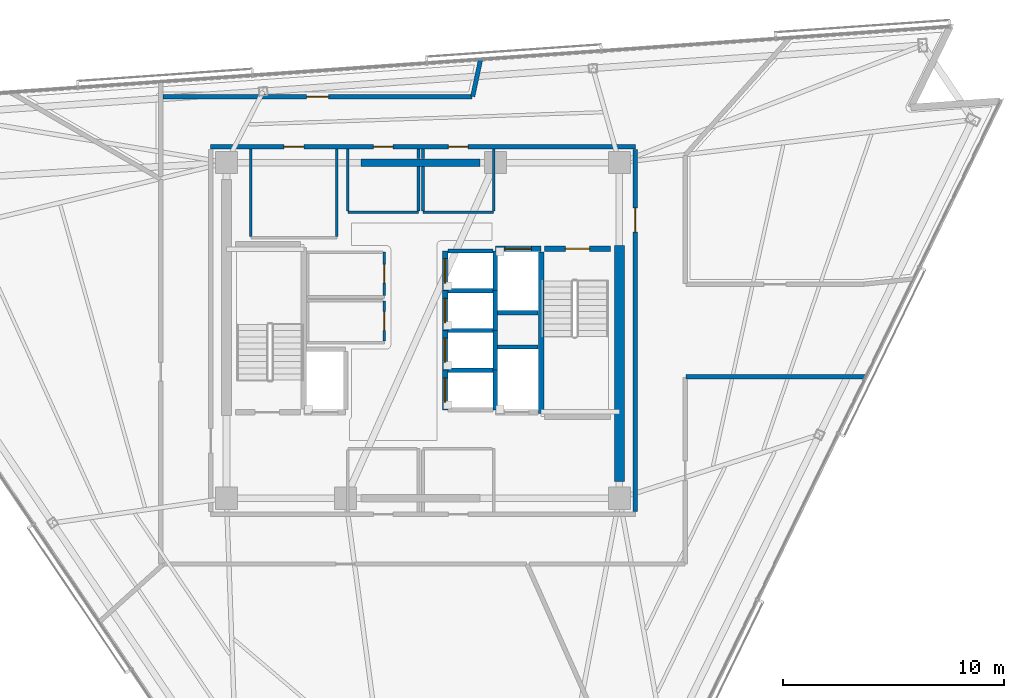
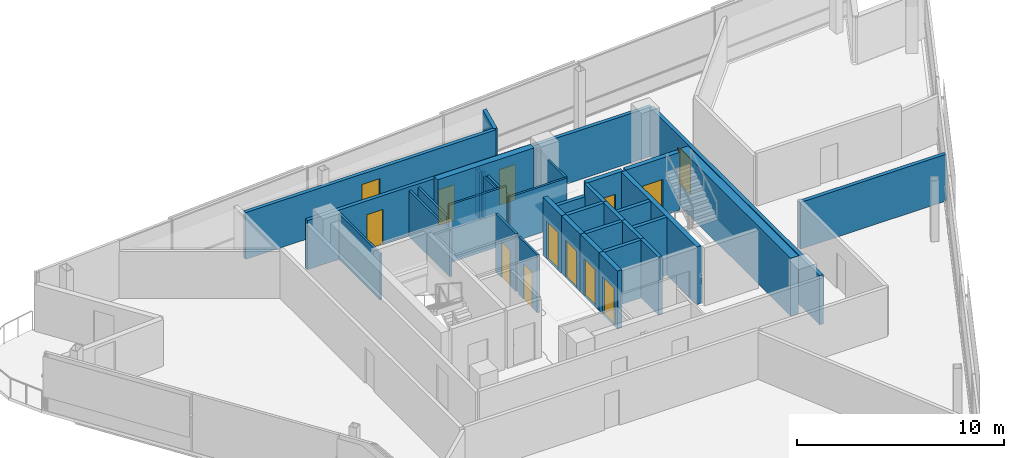
# One storey, part 10 of 16: 36 walls, 13 doors, 13 openings.
"""IFC4 building model written with IfcOpenShell, lengths in metres."""

from ifc_helpers import new_model, si_unit, direction, frame, frame_2d, origin, place, context, subcontext, project, spatial, rectangle, extrude, material, layer, layer_set, type_object, element, fill, save


model = new_model("IFC4")

# Units and contexts
model_context = context("Model", 3, precision=1e-05, world=origin(), true_north=direction((0.0, 1.0)))
body_context = subcontext(model_context, "Body", "Model", "MODEL_VIEW")
ifc_project = project(units=[si_unit("LENGTHUNIT", "METRE"), si_unit("AREAUNIT", "SQUARE_METRE"), si_unit("VOLUMEUNIT", "CUBIC_METRE"), si_unit("PLANEANGLEUNIT", "RADIAN"), si_unit("MASSUNIT", "GRAM", prefix="KILO")], contexts=[model_context])

# Site, building, storey
site_placement = place(None, origin())
site = spatial("IfcSite", under=ifc_project, at=site_placement, CompositionType="ELEMENT")
building_placement = place(site_placement, origin())
building = spatial("IfcBuilding", under=site, at=building_placement, Name="Tharavind Bronze Gate", CompositionType="ELEMENT")
storey_placement = place(building_placement, frame((0.0, 0.0, 271.39990234375)))
storey = spatial("IfcBuildingStorey", under=building, at=storey_placement, Name="L70", CompositionType="ELEMENT", Elevation=271.39990234375)

# Wall, openings, doors
ifc_material_1 = material(Name="Aerated Concrete Block", Category="concrete")
ifc_layer_1 = layer(ifc_material_1, 0.199951171875)
ifc_layer_set_1 = layer_set([ifc_layer_1], Name="Aerated Concrete Block")
wall_type_1 = type_object("IfcWallType", Name="FIRE RATED PARTITION 200", PredefinedType="PARTITIONING", material=ifc_layer_set_1)
wall_1_placement = place(storey_placement, frame((9.6201171875, 8.320068359375, 0.0), z_axis=(0.0, 0.0, 1.0), x_axis=(-1.0, 0.0, 0.0)))
wall_1 = element("IfcWall", 1, at=wall_1_placement, inside=storey, type_object=wall_type_1, Name="L70 north core corridor wall", PredefinedType="PARTITIONING", context=body_context, shape_type="SweptSolid", body=[
    extrude(rectangle(XDim=19.240234375, YDim=0.199951171875, at=frame_2d((9.6201171875, 0.0))), origin(), (0.0, 0.0, 1.0), 2.9150390625),
])
opening_1_placement = place(wall_1_placement, frame((10.969970703125, 0.0, 0.0)))
opening_1 = element("IfcOpeningElement", 2, at=opening_1_placement, cuts=wall_1, Name="Opening ID07", PredefinedType="OPENING", context=body_context, shape_type="SweptSolid", body=[
    extrude(rectangle(XDim=0.89990234375, YDim=2.10009765625, at=frame_2d((0.449951171875, 1.050048828125))), frame((0.0, 0.11009765625, 0.0), z_axis=(0.0, -1.0, 0.0), x_axis=(1.0, 0.0, 0.0)), (0.0, 0.0, 1.0), 0.219951171875),
])
opening_2_placement = place(wall_1_placement, frame((7.570068359375, 0.0, 0.0)))
opening_2 = element("IfcOpeningElement", 3, at=opening_2_placement, cuts=wall_1, Name="Opening ID07", PredefinedType="OPENING", context=body_context, shape_type="SweptSolid", body=[
    extrude(rectangle(XDim=0.89990234375, YDim=2.10009765625, at=frame_2d((0.449951171875, 1.050048828125))), frame((0.0, 0.11009765625, 0.0), z_axis=(0.0, -1.0, 0.0), x_axis=(1.0, 0.0, 0.0)), (0.0, 0.0, 1.0), 0.219951171875),
])
opening_3_placement = place(wall_1_placement, frame((15.02001953125, 0.0, 0.0)))
opening_3 = element("IfcOpeningElement", 4, at=opening_3_placement, cuts=wall_1, Name="Opening ID07", PredefinedType="OPENING", context=body_context, shape_type="SweptSolid", body=[
    extrude(rectangle(XDim=0.89990234375, YDim=2.10009765625, at=frame_2d((0.449951171875, 1.050048828125))), frame((0.0, 0.11009765625, 0.0), z_axis=(0.0, -1.0, 0.0), x_axis=(1.0, 0.0, 0.0)), (0.0, 0.0, 1.0), 0.219951171875),
])
ifc_material_2 = material(Name="Galvanised Fire Steel", Category="steel")
door_type_1 = type_object("IfcDoorType", Name="PLANT AND RISER FIRE DOOR 900X2100", OperationType="SINGLE_SWING_LEFT", PredefinedType="DOOR", material=ifc_material_2)
door_1_placement = place(opening_1_placement, frame((0.89990234375, 0.0, 0.0), z_axis=(0.0, 0.0, 1.0), x_axis=(-1.0, 0.0, 0.0)))
door_1 = element("IfcDoor", 5, at=door_1_placement, inside=storey, type_object=door_type_1, Name="L70 Core Telemetry Room fire door", OperationType="SINGLE_SWING_LEFT", OverallHeight=2.10009765625, OverallWidth=0.89990234375, PredefinedType="DOOR", context=body_context, shape_type="SweptSolid", body=[
    extrude(rectangle(XDim=0.89990234375, YDim=2.10009765625, at=frame_2d((0.449951171875, 1.050048828125))), frame((0.0, 0.02490234375, 0.0), z_axis=(0.0, -1.0, 0.0), x_axis=(1.0, 0.0, 0.0)), (0.0, 0.0, 1.0), 0.050048828125),
])
fill(opening_1, door_1)
door_2_placement = place(opening_2_placement, frame((0.89990234375, 0.0, 0.0), z_axis=(0.0, 0.0, 1.0), x_axis=(-1.0, 0.0, 0.0)))
door_2 = element("IfcDoor", 6, at=door_2_placement, inside=storey, type_object=door_type_1, Name="L70 Core Battery Room fire door", OperationType="SINGLE_SWING_LEFT", OverallHeight=2.10009765625, OverallWidth=0.89990234375, PredefinedType="DOOR", context=body_context, shape_type="SweptSolid", body=[
    extrude(rectangle(XDim=0.89990234375, YDim=2.10009765625, at=frame_2d((0.449951171875, 1.050048828125))), frame((0.0, 0.02490234375, 0.0), z_axis=(0.0, -1.0, 0.0), x_axis=(1.0, 0.0, 0.0)), (0.0, 0.0, 1.0), 0.050048828125),
])
fill(opening_2, door_2)
door_3_placement = place(opening_3_placement, frame((0.89990234375, 0.0, 0.0), z_axis=(0.0, 0.0, 1.0), x_axis=(-1.0, 0.0, 0.0)))
door_3 = element("IfcDoor", 7, at=door_3_placement, inside=storey, type_object=door_type_1, Name="L70 Electrical Switch Room fire door", OperationType="SINGLE_SWING_LEFT", OverallHeight=2.10009765625, OverallWidth=0.89990234375, PredefinedType="DOOR", context=body_context, shape_type="SweptSolid", body=[
    extrude(rectangle(XDim=0.89990234375, YDim=2.10009765625, at=frame_2d((0.449951171875, 1.050048828125))), frame((0.0, 0.02490234375, 0.0), z_axis=(0.0, -1.0, 0.0), x_axis=(1.0, 0.0, 0.0)), (0.0, 0.0, 1.0), 0.050048828125),
])
fill(opening_3, door_3)

# Wall, opening, door
wall_2_placement = place(storey_placement, frame((9.6201171875, -8.199951171875, 0.0), z_axis=(0.0, 0.0, 1.0), x_axis=(0.0, 1.0, 0.0)))
wall_2 = element("IfcWall", 8, at=wall_2_placement, inside=storey, type_object=wall_type_1, Name="L70 east core corridor wall", PredefinedType="PARTITIONING", context=body_context, shape_type="SweptSolid", body=[
    extrude(rectangle(XDim=16.39990234375, YDim=0.199951171875, at=frame_2d((8.199951171875, 0.0))), origin(), (0.0, 0.0, 1.0), 2.9150390625),
])
opening_4_placement = place(wall_2_placement, frame((12.64990234375, 0.0, 0.0)))
opening_4 = element("IfcOpeningElement", 9, at=opening_4_placement, cuts=wall_2, Name="Opening ID01", PredefinedType="OPENING", context=body_context, shape_type="SweptSolid", body=[
    extrude(rectangle(XDim=1.10009765625, YDim=2.14990234375, at=frame_2d((0.550048828125, 1.074951171875))), frame((0.0, 0.11009765625, 0.0), z_axis=(0.0, -1.0, 0.0), x_axis=(1.0, 0.0, 0.0)), (0.0, 0.0, 1.0), 0.219951171875),
])
ifc_material_3 = material(Name="Fire-Rated Steel", Category="steel")
door_type_2 = type_object("IfcDoorType", Name="STAIR CORE FIRE DOOR 1100X2150", OperationType="SINGLE_SWING_LEFT", PredefinedType="DOOR", material=ifc_material_3)
door_4_placement = place(opening_4_placement, frame((1.10009765625, 0.0, 0.0), z_axis=(0.0, 0.0, 1.0), x_axis=(-1.0, 0.0, 0.0)))
door_4 = element("IfcDoor", 10, at=door_4_placement, inside=storey, type_object=door_type_2, Name="L70 north east stair lobby fire door", OperationType="SINGLE_SWING_LEFT", OverallHeight=2.14990234375, OverallWidth=1.10009765625, PredefinedType="DOOR", context=body_context, shape_type="SweptSolid", body=[
    extrude(rectangle(XDim=1.10009765625, YDim=2.14990234375, at=frame_2d((0.550048828125, 1.074951171875))), frame((0.0, 0.02490234375, 0.0), z_axis=(0.0, -1.0, 0.0), x_axis=(1.0, 0.0, 0.0)), (0.0, 0.0, 1.0), 0.050048828125),
])
fill(opening_4, door_4)

# Wall
wall_3_placement = place(storey_placement, frame((2.60888671875, 12.273681640625, 0.0), z_axis=(0.0, 0.0, 1.0), x_axis=(-0.207872406536, -0.978155950041, 0.0)))
element("IfcWall", 11, at=wall_3_placement, inside=storey, type_object=wall_type_1, Name="L70 Flight Systems Office partition", PredefinedType="PARTITIONING", context=body_context, shape_type="SweptSolid", body=[
    extrude(rectangle(XDim=1.711181640625, YDim=0.199951171875, at=frame_2d((0.85546875, 0.0))), origin(), (0.0, 0.0, 1.0), 2.76513671875),
])

# Wall, opening, door
wall_4_placement = place(storey_placement, frame((2.228515625, 10.580078125, 0.0), z_axis=(0.0, 0.0, 1.0), x_axis=(-1.0, 0.0, 0.0)))
wall_4 = element("IfcWall", 12, at=wall_4_placement, inside=storey, type_object=wall_type_1, Name="L70 Flight Systems Office partition", PredefinedType="PARTITIONING", context=body_context, shape_type="SweptSolid", body=[
    extrude(rectangle(XDim=14.00341796875, YDim=0.199951171875, at=frame_2d((7.001708984375, 0.0))), origin(), (0.0, 0.0, 1.0), 2.76513671875),
])
opening_5_placement = place(wall_4_placement, frame((6.501953125, 0.0, 0.0)))
opening_5 = element("IfcOpeningElement", 13, at=opening_5_placement, cuts=wall_4, Name="Opening ID04", PredefinedType="OPENING", context=body_context, shape_type="SweptSolid", body=[
    extrude(rectangle(XDim=1.0, YDim=2.14990234375, at=frame_2d((0.5, 1.074951171875))), frame((0.0, 0.11009765625, 0.0), z_axis=(0.0, -1.0, 0.0), x_axis=(1.0, 0.0, 0.0)), (0.0, 0.0, 1.0), 0.219951171875),
])
ifc_material_4 = material(Name="Bronze Framed Acoustic Timber", Category="wood")
door_type_3 = type_object("IfcDoorType", Name="OFFICE TENANCY DOOR 1000X2150", OperationType="SINGLE_SWING_RIGHT", PredefinedType="DOOR", material=ifc_material_4)
door_5_placement = place(opening_5_placement, origin())
door_5 = element("IfcDoor", 14, at=door_5_placement, inside=storey, type_object=door_type_3, Name="L70 Flight Systems Office door", OperationType="SINGLE_SWING_RIGHT", OverallHeight=2.14990234375, OverallWidth=1.0, PredefinedType="DOOR", context=body_context, shape_type="SweptSolid", body=[
    extrude(rectangle(XDim=1.0, YDim=2.14990234375, at=frame_2d((0.5, 1.074951171875))), frame((0.0, 0.02490234375, 0.0), z_axis=(0.0, -1.0, 0.0), x_axis=(1.0, 0.0, 0.0)), (0.0, 0.0, 1.0), 0.050048828125),
])
fill(opening_5, door_5)

# Wall
wall_5_placement = place(storey_placement, frame((11.905029296875, -2.10009765625, 0.0), z_axis=(0.0, 0.0, 1.0), x_axis=(1.0, 0.0, 0.0)))
element("IfcWall", 15, at=wall_5_placement, inside=storey, type_object=wall_type_1, Name="L70 Tea Pantry partition", PredefinedType="PARTITIONING", context=body_context, shape_type="SweptSolid", body=[
    extrude(rectangle(XDim=8.1591796875, YDim=0.199951171875, at=frame_2d((4.07958984375, 0.0))), origin(), (0.0, 0.0, 1.0), 2.76513671875),
])

# Wall, opening, door
ifc_material_5 = material(Name="Metal Stud Gypsum Partition", Category="gypsum")
ifc_layer_2 = layer(ifc_material_5, 0.1201171875)
ifc_layer_set_2 = layer_set([ifc_layer_2], Name="Metal Stud Gypsum Partition")
wall_type_2 = type_object("IfcWallType", Name="INTERIOR PARTITION WALL 120", PredefinedType="PARTITIONING", material=ifc_layer_set_2)
wall_6_placement = place(storey_placement, frame((-1.75, 1.5849609375, 0.0), z_axis=(0.0, 0.0, 1.0), x_axis=(0.0, 1.0, 0.0)))
wall_6 = element("IfcWall", 16, at=wall_6_placement, inside=storey, type_object=wall_type_2, Name="L70 Cleaner Store Room partition 2", PredefinedType="PARTITIONING", context=body_context, shape_type="SweptSolid", body=[
    extrude(rectangle(XDim=1.965087890625, YDim=0.1201171875, at=frame_2d((0.982421875, 0.0))), origin(), (0.0, 0.0, 1.0), 3.420166015625),
])
opening_6_placement = place(wall_6_placement, frame((0.556884765625, 0.0, 0.0)))
opening_6 = element("IfcOpeningElement", 17, at=opening_6_placement, cuts=wall_6, Name="Opening ID06", PredefinedType="OPENING", context=body_context, shape_type="SweptSolid", body=[
    extrude(rectangle(XDim=0.85009765625, YDim=2.10009765625, at=frame_2d((0.425048828125, 1.050048828125))), frame((0.0, 0.07005859375, 0.0), z_axis=(0.0, -1.0, 0.0), x_axis=(1.0, 0.0, 0.0)), (0.0, 0.0, 1.0), 0.1401171875),
])
ifc_material_6 = material(Name="Moisture-Resistant Timber", Category="wood")
door_type_4 = type_object("IfcDoorType", Name="BATHROOM PRIVACY DOOR 850X2100", OperationType="SINGLE_SWING_RIGHT", PredefinedType="DOOR", material=ifc_material_6)
door_6_placement = place(opening_6_placement, frame((0.85009765625, 0.0, 0.0), z_axis=(0.0, 0.0, 1.0), x_axis=(-1.0, 0.0, 0.0)))
door_6 = element("IfcDoor", 18, at=door_6_placement, inside=storey, type_object=door_type_4, Name="L70 Cleaner Store Room door", OperationType="SINGLE_SWING_RIGHT", OverallHeight=2.10009765625, OverallWidth=0.85009765625, PredefinedType="DOOR", context=body_context, shape_type="SweptSolid", body=[
    extrude(rectangle(XDim=0.85009765625, YDim=2.10009765625, at=frame_2d((0.425048828125, 1.050048828125))), frame((0.0, 0.02490234375, 0.0), z_axis=(0.0, -1.0, 0.0), x_axis=(1.0, 0.0, 0.0)), (0.0, 0.0, 1.0), 0.050048828125),
])
fill(opening_6, door_6)

wall_7_placement = place(storey_placement, frame((-1.75, -0.485107421875, 0.0), z_axis=(0.0, 0.0, 1.0), x_axis=(0.0, 1.0, 0.0)))
wall_7 = element("IfcWall", 19, at=wall_7_placement, inside=storey, type_object=wall_type_2, Name="L70 Electrical Switch Room partition 2", PredefinedType="PARTITIONING", context=body_context, shape_type="SweptSolid", body=[
    extrude(rectangle(XDim=1.8251953125, YDim=0.1201171875, at=frame_2d((0.91259765625, 0.0))), origin(), (0.0, 0.0, 1.0), 3.420166015625),
])
opening_7_placement = place(wall_7_placement, frame((0.488037109375, 0.0, 0.0)))
opening_7 = element("IfcOpeningElement", 20, at=opening_7_placement, cuts=wall_7, Name="Opening ID06", PredefinedType="OPENING", context=body_context, shape_type="SweptSolid", body=[
    extrude(rectangle(XDim=0.85009765625, YDim=2.10009765625, at=frame_2d((0.425048828125, 1.050048828125))), frame((0.0, 0.07005859375, 0.0), z_axis=(0.0, -1.0, 0.0), x_axis=(1.0, 0.0, 0.0)), (0.0, 0.0, 1.0), 0.1401171875),
])
door_7_placement = place(opening_7_placement, frame((0.85009765625, 0.0, 0.0), z_axis=(0.0, 0.0, 1.0), x_axis=(-1.0, 0.0, 0.0)))
door_7 = element("IfcDoor", 21, at=door_7_placement, inside=storey, type_object=door_type_4, Name="L70 Electrical Switch Room door", OperationType="SINGLE_SWING_RIGHT", OverallHeight=2.10009765625, OverallWidth=0.85009765625, PredefinedType="DOOR", context=body_context, shape_type="SweptSolid", body=[
    extrude(rectangle(XDim=0.85009765625, YDim=2.10009765625, at=frame_2d((0.425048828125, 1.050048828125))), frame((0.0, 0.02490234375, 0.0), z_axis=(0.0, -1.0, 0.0), x_axis=(1.0, 0.0, 0.0)), (0.0, 0.0, 1.0), 0.050048828125),
])
fill(opening_7, door_7)

# Walls
wall_8_placement = place(storey_placement, frame((-3.39990234375, 5.35009765625, 0.0), z_axis=(0.0, 0.0, 1.0), x_axis=(1.0, 0.0, 0.0)))
element("IfcWall", 22, at=wall_8_placement, inside=storey, type_object=wall_type_2, Name="L70 Core Telemetry Room partition 1", PredefinedType="PARTITIONING", context=body_context, shape_type="SweptSolid", body=[
    extrude(rectangle(XDim=3.199951171875, YDim=0.1201171875, at=frame_2d((1.60009765625, 0.0))), origin(), (0.0, 0.0, 1.0), 3.420166015625),
])
wall_9_placement = place(storey_placement, frame((-0.199951171875, 5.4150390625, 0.0), z_axis=(0.0, 0.0, 1.0), x_axis=(0.0, 1.0, 0.0)))
element("IfcWall", 23, at=wall_9_placement, inside=storey, type_object=wall_type_2, Name="L70 Core Telemetry Room partition 2", PredefinedType="PARTITIONING", context=body_context, shape_type="SweptSolid", body=[
    extrude(rectangle(XDim=2.0048828125, YDim=0.1201171875, at=frame_2d((1.00244140625, 0.0))), origin(), (0.0, 0.0, 1.0), 2.715087890625),
])
wall_10_placement = place(storey_placement, frame((-0.199951171875, 7.780029296875, 0.0), z_axis=(0.0, 0.0, 1.0), x_axis=(0.0, 1.0, 0.0)))
element("IfcWall", 24, at=wall_10_placement, inside=storey, type_object=wall_type_2, Name="L70 Core Telemetry Room partition 2", PredefinedType="PARTITIONING", context=body_context, shape_type="SweptSolid", body=[
    extrude(rectangle(XDim=0.43505859375, YDim=0.1201171875, at=frame_2d((0.217529296875, 0.0))), origin(), (0.0, 0.0, 1.0), 2.715087890625),
])
wall_11_placement = place(storey_placement, frame((-3.39990234375, 8.215087890625, 0.0), z_axis=(0.0, 0.0, 1.0), x_axis=(0.0, -1.0, 0.0)))
element("IfcWall", 25, at=wall_11_placement, inside=storey, type_object=wall_type_2, Name="L70 Core Telemetry Room partition 4", PredefinedType="PARTITIONING", context=body_context, shape_type="SweptSolid", body=[
    extrude(rectangle(XDim=2.800048828125, YDim=0.1201171875, at=frame_2d((1.39990234375, 0.0))), origin(), (0.0, 0.0, 1.0), 2.715087890625),
])
wall_12_placement = place(storey_placement, frame((0.0, 5.35009765625, 0.0), z_axis=(0.0, 0.0, 1.0), x_axis=(1.0, 0.0, 0.0)))
element("IfcWall", 26, at=wall_12_placement, inside=storey, type_object=wall_type_2, Name="L70 Core Battery Room partition 1", PredefinedType="PARTITIONING", context=body_context, shape_type="SweptSolid", body=[
    extrude(rectangle(XDim=3.199951171875, YDim=0.1201171875, at=frame_2d((1.60009765625, 0.0))), origin(), (0.0, 0.0, 1.0), 2.715087890625),
])
wall_13_placement = place(storey_placement, frame((3.199951171875, 5.4150390625, 0.0), z_axis=(0.0, 0.0, 1.0), x_axis=(0.0, 1.0, 0.0)))
element("IfcWall", 27, at=wall_13_placement, inside=storey, type_object=wall_type_2, Name="L70 Core Battery Room partition 2", PredefinedType="PARTITIONING", context=body_context, shape_type="SweptSolid", body=[
    extrude(rectangle(XDim=2.800048828125, YDim=0.1201171875, at=frame_2d((1.39990234375, 0.0))), origin(), (0.0, 0.0, 1.0), 2.715087890625),
])
wall_14_placement = place(storey_placement, frame((0.0, 8.215087890625, 0.0), z_axis=(0.0, 0.0, 1.0), x_axis=(0.0, -1.0, 0.0)))
element("IfcWall", 28, at=wall_14_placement, inside=storey, type_object=wall_type_2, Name="L70 Core Battery Room partition 4", PredefinedType="PARTITIONING", context=body_context, shape_type="SweptSolid", body=[
    extrude(rectangle(XDim=0.43505859375, YDim=0.1201171875, at=frame_2d((0.217529296875, 0.0))), origin(), (0.0, 0.0, 1.0), 2.715087890625),
])
wall_15_placement = place(storey_placement, frame((0.0, 7.419921875, 0.0), z_axis=(0.0, 0.0, 1.0), x_axis=(0.0, -1.0, 0.0)))
element("IfcWall", 29, at=wall_15_placement, inside=storey, type_object=wall_type_2, Name="L70 Core Battery Room partition 4", PredefinedType="PARTITIONING", context=body_context, shape_type="SweptSolid", body=[
    extrude(rectangle(XDim=2.0048828125, YDim=0.1201171875, at=frame_2d((1.00244140625, 0.0))), origin(), (0.0, 0.0, 1.0), 2.715087890625),
])
for number, where, z_axis, x_axis, name in (
    (30, (-3.89990234375, 4.264892578125, 0.0), (0.0, 0.0, 1.0), (0.0, 1.0, 0.0), "L70 Electrical Switch Room partition 2"),
    (31, (-7.800048828125, 8.215087890625, 0.0), (0.0, 0.0, 1.0), (0.0, -1.0, 0.0), "L70 Electrical Switch Room partition 4"),
):
    element("IfcWall", number, at=place(storey_placement, frame(where, z_axis=z_axis, x_axis=x_axis)), inside=storey, type_object=wall_type_2, Name=name, PredefinedType="PARTITIONING", context=body_context, shape_type="SweptSolid", body=[
        extrude(rectangle(XDim=3.9501953125, YDim=0.1201171875, at=frame_2d((1.97509765625, 0.0))), origin(), (0.0, 0.0, 1.0), 2.715087890625),
    ])
ifc_material_7 = material(Name="Concrete C50/60", Category="concrete")
ifc_layer_3 = layer(ifc_material_7, 0.25)
ifc_layer_set_3 = layer_set([ifc_layer_3], Name="Concrete C50/60")
wall_type_3 = type_object("IfcWallType", Name="RC CORE SHEAR WALL 250", PredefinedType="SHEAR", material=ifc_layer_set_3)
wall_16_placement = place(storey_placement, frame((5.35009765625, -3.75, 0.0), z_axis=(0.0, 0.0, 1.0), x_axis=(0.0, 1.0, 0.0)))
element("IfcWall", 32, at=wall_16_placement, inside=storey, type_object=wall_type_3, Name="L70 ST2 shaft west wall", PredefinedType="SHEAR", context=body_context, shape_type="SweptSolid", body=[
    extrude(rectangle(XDim=7.300048828125, YDim=0.25, at=frame_2d((3.64990234375, 0.0))), origin(), (0.0, 0.0, 1.0), 3.420166015625),
])

# Wall, opening, door
wall_17_placement = place(storey_placement, frame((5.5, 3.699951171875, 0.0), z_axis=(0.0, 0.0, 1.0), x_axis=(1.0, 0.0, 0.0)))
wall_17 = element("IfcWall", 33, at=wall_17_placement, inside=storey, type_object=wall_type_3, Name="L70 ST2 shaft north wall", PredefinedType="SHEAR", context=body_context, shape_type="SweptSolid", body=[
    extrude(rectangle(XDim=3.0, YDim=0.25, at=frame_2d((1.5, 0.0))), origin(), (0.0, 0.0, 1.0), 3.420166015625),
])
opening_8_placement = place(wall_17_placement, frame((0.949951171875, 0.0, 0.0)))
opening_8 = element("IfcOpeningElement", 34, at=opening_8_placement, cuts=wall_17, Name="Opening ID01", PredefinedType="OPENING", context=body_context, shape_type="SweptSolid", body=[
    extrude(rectangle(XDim=1.10009765625, YDim=2.14990234375, at=frame_2d((0.550048828125, 1.074951171875))), frame((0.0, 0.135, 0.0), z_axis=(0.0, -1.0, 0.0), x_axis=(1.0, 0.0, 0.0)), (0.0, 0.0, 1.0), 0.27),
])
door_8_placement = place(opening_8_placement, frame((1.10009765625, 0.0, 0.0), z_axis=(0.0, 0.0, 1.0), x_axis=(-1.0, 0.0, 0.0)))
door_8 = element("IfcDoor", 35, at=door_8_placement, inside=storey, type_object=door_type_2, Name="L70 exit stair ST2 fire door", OperationType="SINGLE_SWING_LEFT", OverallHeight=2.14990234375, OverallWidth=1.10009765625, PredefinedType="DOOR", context=body_context, shape_type="SweptSolid", body=[
    extrude(rectangle(XDim=1.10009765625, YDim=2.14990234375, at=frame_2d((0.550048828125, 1.074951171875))), frame((0.0, 0.02490234375, 0.0), z_axis=(0.0, -1.0, 0.0), x_axis=(1.0, 0.0, 0.0)), (0.0, 0.0, 1.0), 0.050048828125),
])
fill(opening_8, door_8)

wall_18_placement = place(storey_placement, frame((1.0, -3.60009765625, 0.0), z_axis=(0.0, 0.0, 1.0), x_axis=(0.0, 1.0, 0.0)))
wall_18 = element("IfcWall", 36, at=wall_18_placement, inside=storey, type_object=wall_type_3, Name="L70 lift PL9 shaft front wall", PredefinedType="SHEAR", context=body_context, shape_type="SweptSolid", body=[
    extrude(rectangle(XDim=1.800048828125, YDim=0.25, at=frame_2d((0.89990234375, 0.0))), origin(), (0.0, 0.0, 1.0), 3.420166015625),
])
opening_9_placement = place(wall_18_placement, frame((0.35009765625, 0.0, 0.0)))
opening_9 = element("IfcOpeningElement", 37, at=opening_9_placement, cuts=wall_18, Name="Opening LD01", PredefinedType="OPENING", context=body_context, shape_type="SweptSolid", body=[
    extrude(rectangle(XDim=1.10009765625, YDim=2.199951171875, at=frame_2d((0.550048828125, 1.10009765625))), frame((0.0, 0.135, 0.0), z_axis=(0.0, -1.0, 0.0), x_axis=(1.0, 0.0, 0.0)), (0.0, 0.0, 1.0), 0.27),
])
ifc_material_8 = material(Name="Brushed Bronze Stainless Steel", Category="steel")
door_type_5 = type_object("IfcDoorType", Name="LIFT LANDING SLIDING DOOR 1100X2200", OperationType="SLIDING_TO_LEFT", PredefinedType="DOOR", material=ifc_material_8)
door_9_placement = place(opening_9_placement, origin())
door_9 = element("IfcDoor", 38, at=door_9_placement, inside=storey, type_object=door_type_5, Name="L70 lift PL9 sliding landing door", OperationType="SLIDING_TO_LEFT", OverallHeight=2.199951171875, OverallWidth=1.10009765625, PredefinedType="DOOR", context=body_context, shape_type="SweptSolid", body=[
    extrude(rectangle(XDim=1.10009765625, YDim=2.199951171875, at=frame_2d((0.550048828125, 1.10009765625))), frame((0.0, 0.02490234375, 0.0), z_axis=(0.0, -1.0, 0.0), x_axis=(1.0, 0.0, 0.0)), (0.0, 0.0, 1.0), 0.050048828125),
])
fill(opening_9, door_9)

wall_19_placement = place(storey_placement, frame((1.0, -1.800048828125, 0.0), z_axis=(0.0, 0.0, 1.0), x_axis=(0.0, 1.0, 0.0)))
wall_19 = element("IfcWall", 39, at=wall_19_placement, inside=storey, type_object=wall_type_3, Name="L70 lift PL10 shaft front wall", PredefinedType="SHEAR", context=body_context, shape_type="SweptSolid", body=[
    extrude(rectangle(XDim=1.800048828125, YDim=0.25, at=frame_2d((0.89990234375, 0.0))), origin(), (0.0, 0.0, 1.0), 3.420166015625),
])
opening_10_placement = place(wall_19_placement, frame((0.35009765625, 0.0, 0.0)))
opening_10 = element("IfcOpeningElement", 40, at=opening_10_placement, cuts=wall_19, Name="Opening LD01", PredefinedType="OPENING", context=body_context, shape_type="SweptSolid", body=[
    extrude(rectangle(XDim=1.10009765625, YDim=2.199951171875, at=frame_2d((0.550048828125, 1.10009765625))), frame((0.0, 0.135, 0.0), z_axis=(0.0, -1.0, 0.0), x_axis=(1.0, 0.0, 0.0)), (0.0, 0.0, 1.0), 0.27),
])
door_10_placement = place(opening_10_placement, origin())
door_10 = element("IfcDoor", 41, at=door_10_placement, inside=storey, type_object=door_type_5, Name="L70 lift PL10 sliding landing door", OperationType="SLIDING_TO_LEFT", OverallHeight=2.199951171875, OverallWidth=1.10009765625, PredefinedType="DOOR", context=body_context, shape_type="SweptSolid", body=[
    extrude(rectangle(XDim=1.10009765625, YDim=2.199951171875, at=frame_2d((0.550048828125, 1.10009765625))), frame((0.0, 0.02490234375, 0.0), z_axis=(0.0, -1.0, 0.0), x_axis=(1.0, 0.0, 0.0)), (0.0, 0.0, 1.0), 0.050048828125),
])
fill(opening_10, door_10)

wall_20_placement = place(storey_placement, frame((1.0, 0.0, 0.0), z_axis=(0.0, 0.0, 1.0), x_axis=(0.0, 1.0, 0.0)))
wall_20 = element("IfcWall", 42, at=wall_20_placement, inside=storey, type_object=wall_type_3, Name="L70 lift PL11 shaft front wall", PredefinedType="SHEAR", context=body_context, shape_type="SweptSolid", body=[
    extrude(rectangle(XDim=1.800048828125, YDim=0.25, at=frame_2d((0.89990234375, 0.0))), origin(), (0.0, 0.0, 1.0), 3.420166015625),
])
opening_11_placement = place(wall_20_placement, frame((0.35009765625, 0.0, 0.0)))
opening_11 = element("IfcOpeningElement", 43, at=opening_11_placement, cuts=wall_20, Name="Opening LD01", PredefinedType="OPENING", context=body_context, shape_type="SweptSolid", body=[
    extrude(rectangle(XDim=1.10009765625, YDim=2.199951171875, at=frame_2d((0.550048828125, 1.10009765625))), frame((0.0, 0.135, 0.0), z_axis=(0.0, -1.0, 0.0), x_axis=(1.0, 0.0, 0.0)), (0.0, 0.0, 1.0), 0.27),
])
door_11_placement = place(opening_11_placement, origin())
door_11 = element("IfcDoor", 44, at=door_11_placement, inside=storey, type_object=door_type_5, Name="L70 lift PL11 sliding landing door", OperationType="SLIDING_TO_LEFT", OverallHeight=2.199951171875, OverallWidth=1.10009765625, PredefinedType="DOOR", context=body_context, shape_type="SweptSolid", body=[
    extrude(rectangle(XDim=1.10009765625, YDim=2.199951171875, at=frame_2d((0.550048828125, 1.10009765625))), frame((0.0, 0.02490234375, 0.0), z_axis=(0.0, -1.0, 0.0), x_axis=(1.0, 0.0, 0.0)), (0.0, 0.0, 1.0), 0.050048828125),
])
fill(opening_11, door_11)

wall_21_placement = place(storey_placement, frame((1.0, 1.800048828125, 0.0), z_axis=(0.0, 0.0, 1.0), x_axis=(0.0, 1.0, 0.0)))
wall_21 = element("IfcWall", 45, at=wall_21_placement, inside=storey, type_object=wall_type_3, Name="L70 lift PL12 shaft front wall", PredefinedType="SHEAR", context=body_context, shape_type="SweptSolid", body=[
    extrude(rectangle(XDim=1.800048828125, YDim=0.25, at=frame_2d((0.89990234375, 0.0))), origin(), (0.0, 0.0, 1.0), 3.420166015625),
])
opening_12_placement = place(wall_21_placement, frame((0.35009765625, 0.0, 0.0)))
opening_12 = element("IfcOpeningElement", 46, at=opening_12_placement, cuts=wall_21, Name="Opening LD01", PredefinedType="OPENING", context=body_context, shape_type="SweptSolid", body=[
    extrude(rectangle(XDim=1.10009765625, YDim=2.199951171875, at=frame_2d((0.550048828125, 1.10009765625))), frame((0.0, 0.135, 0.0), z_axis=(0.0, -1.0, 0.0), x_axis=(1.0, 0.0, 0.0)), (0.0, 0.0, 1.0), 0.27),
])
door_12_placement = place(opening_12_placement, origin())
door_12 = element("IfcDoor", 47, at=door_12_placement, inside=storey, type_object=door_type_5, Name="L70 lift PL12 sliding landing door", OperationType="SLIDING_TO_LEFT", OverallHeight=2.199951171875, OverallWidth=1.10009765625, PredefinedType="DOOR", context=body_context, shape_type="SweptSolid", body=[
    extrude(rectangle(XDim=1.10009765625, YDim=2.199951171875, at=frame_2d((0.550048828125, 1.10009765625))), frame((0.0, 0.02490234375, 0.0), z_axis=(0.0, -1.0, 0.0), x_axis=(1.0, 0.0, 0.0)), (0.0, 0.0, 1.0), 0.050048828125),
])
fill(opening_12, door_12)

wall_22_placement = place(storey_placement, frame((3.280029296875, 3.699951171875, 0.0), z_axis=(0.0, 0.0, 1.0), x_axis=(1.0, 0.0, 0.0)))
wall_22 = element("IfcWall", 48, at=wall_22_placement, inside=storey, type_object=wall_type_3, Name="L70 lift FFL2 shaft front wall", PredefinedType="SHEAR", context=body_context, shape_type="SweptSolid", body=[
    extrude(rectangle(XDim=2.070068359375, YDim=0.25, at=frame_2d((1.03515625, 0.0))), origin(), (0.0, 0.0, 1.0), 3.420166015625),
])
opening_13_placement = place(wall_22_placement, frame((0.43505859375, 0.0, 0.0)))
opening_13 = element("IfcOpeningElement", 49, at=opening_13_placement, cuts=wall_22, Name="Opening LD02", PredefinedType="OPENING", context=body_context, shape_type="SweptSolid", body=[
    extrude(rectangle(XDim=1.199951171875, YDim=2.199951171875, at=frame_2d((0.60009765625, 1.10009765625))), frame((0.0, 0.135, 0.0), z_axis=(0.0, -1.0, 0.0), x_axis=(1.0, 0.0, 0.0)), (0.0, 0.0, 1.0), 0.27),
])
ifc_material_9 = material(Name="Brushed Stainless Steel", Category="steel")
door_type_6 = type_object("IfcDoorType", Name="FIREFIGHTING LIFT LANDING DOOR 1200X2200", OperationType="SLIDING_TO_RIGHT", PredefinedType="DOOR", material=ifc_material_9)
door_13_placement = place(opening_13_placement, origin())
door_13 = element("IfcDoor", 50, at=door_13_placement, inside=storey, type_object=door_type_6, Name="L70 lift FFL2 sliding landing door", OperationType="SLIDING_TO_RIGHT", OverallHeight=2.199951171875, OverallWidth=1.199951171875, PredefinedType="DOOR", context=body_context, shape_type="SweptSolid", body=[
    extrude(rectangle(XDim=1.199951171875, YDim=2.199951171875, at=frame_2d((0.60009765625, 1.10009765625))), frame((0.0, 0.02490234375, 0.0), z_axis=(0.0, -1.0, 0.0), x_axis=(1.0, 0.0, 0.0)), (0.0, 0.0, 1.0), 0.050048828125),
])
fill(opening_13, door_13)

# Walls
ifc_layer_4 = layer(ifc_material_7, 0.35009765625)
ifc_layer_set_4 = layer_set([ifc_layer_4], Name="Concrete C50/60")
wall_type_4 = type_object("IfcWallType", Name="RC CORE SHEAR WALL 350", PredefinedType="SHEAR", material=ifc_layer_set_4)
wall_23_placement = place(storey_placement, frame((-2.800048828125, 7.60009765625, 0.0), z_axis=(0.0, 0.0, 1.0), x_axis=(1.0, 0.0, 0.0)))
element("IfcWall", 51, at=wall_23_placement, inside=storey, type_object=wall_type_4, Name="L70 north core shear wall", PredefinedType="SHEAR", context=body_context, shape_type="SweptSolid", body=[
    extrude(rectangle(XDim=5.380126953125, YDim=0.35009765625, at=frame_2d((2.68994140625, 0.0))), origin(), (0.0, 0.0, 1.0), 3.420166015625),
])
ifc_material_10 = material(Name="Concrete C60/75", Category="concrete")
ifc_layer_5 = layer(ifc_material_10, 0.449951171875)
ifc_layer_set_5 = layer_set([ifc_layer_5], Name="Concrete C60/75")
wall_type_5 = type_object("IfcWallType", Name="RC CORE SHEAR WALL 450", PredefinedType="SHEAR", material=ifc_layer_set_5)
wall_24_placement = place(storey_placement, frame((8.89990234375, -6.85009765625, 0.0), z_axis=(0.0, 0.0, 1.0), x_axis=(0.0, 1.0, 0.0)))
element("IfcWall", 52, at=wall_24_placement, inside=storey, type_object=wall_type_5, Name="L70 east core shear wall", PredefinedType="SHEAR", context=body_context, shape_type="SweptSolid", body=[
    extrude(rectangle(XDim=10.7001953125, YDim=0.449951171875, at=frame_2d((5.35009765625, 0.0))), origin(), (0.0, 0.0, 1.0), 3.420166015625),
])
ifc_material_11 = material(Name="Concrete C40/50", Category="concrete")
ifc_layer_6 = layer(ifc_material_11, 0.199951171875)
ifc_layer_set_6 = layer_set([ifc_layer_6], Name="Concrete C40/50")
wall_type_6 = type_object("IfcWallType", Name="SHAFT ENCLOSURE WALL 200", PredefinedType="PARTITIONING", material=ifc_layer_set_6)
wall_25_placement = place(storey_placement, frame((3.280029296875, -3.60009765625, 0.0), z_axis=(0.0, 0.0, 1.0), x_axis=(0.0, 1.0, 0.0)))
element("IfcWall", 53, at=wall_25_placement, inside=storey, type_object=wall_type_6, Name="L70 lift PL9 shaft E enclosure wall", PredefinedType="PARTITIONING", context=body_context, shape_type="SweptSolid", body=[
    extrude(rectangle(XDim=1.800048828125, YDim=0.199951171875, at=frame_2d((0.89990234375, 0.0))), origin(), (0.0, 0.0, 1.0), 3.420166015625),
])
wall_26_placement = place(storey_placement, frame((1.1298828125, -1.800048828125, 0.0), z_axis=(0.0, 0.0, 1.0), x_axis=(1.0, 0.0, 0.0)))
element("IfcWall", 54, at=wall_26_placement, inside=storey, type_object=wall_type_6, Name="L70 lift PL9 shaft N enclosure wall", PredefinedType="PARTITIONING", context=body_context, shape_type="SweptSolid", body=[
    extrude(rectangle(XDim=2.045166015625, YDim=0.199951171875, at=frame_2d((1.0224609375, 0.0))), origin(), (0.0, 0.0, 1.0), 3.420166015625),
])
wall_27_placement = place(storey_placement, frame((3.280029296875, -1.800048828125, 0.0), z_axis=(0.0, 0.0, 1.0), x_axis=(0.0, 1.0, 0.0)))
element("IfcWall", 55, at=wall_27_placement, inside=storey, type_object=wall_type_6, Name="L70 lift PL10 shaft E enclosure wall", PredefinedType="PARTITIONING", context=body_context, shape_type="SweptSolid", body=[
    extrude(rectangle(XDim=1.800048828125, YDim=0.199951171875, at=frame_2d((0.89990234375, 0.0))), origin(), (0.0, 0.0, 1.0), 3.420166015625),
])
wall_28_placement = place(storey_placement, frame((1.1298828125, 0.0, 0.0), z_axis=(0.0, 0.0, 1.0), x_axis=(1.0, 0.0, 0.0)))
element("IfcWall", 56, at=wall_28_placement, inside=storey, type_object=wall_type_6, Name="L70 lift PL10 shaft N enclosure wall", PredefinedType="PARTITIONING", context=body_context, shape_type="SweptSolid", body=[
    extrude(rectangle(XDim=2.045166015625, YDim=0.199951171875, at=frame_2d((1.0224609375, 0.0))), origin(), (0.0, 0.0, 1.0), 3.420166015625),
])
wall_29_placement = place(storey_placement, frame((3.280029296875, 0.0, 0.0), z_axis=(0.0, 0.0, 1.0), x_axis=(0.0, 1.0, 0.0)))
element("IfcWall", 57, at=wall_29_placement, inside=storey, type_object=wall_type_6, Name="L70 lift PL11 shaft E enclosure wall", PredefinedType="PARTITIONING", context=body_context, shape_type="SweptSolid", body=[
    extrude(rectangle(XDim=1.800048828125, YDim=0.199951171875, at=frame_2d((0.89990234375, 0.0))), origin(), (0.0, 0.0, 1.0), 3.420166015625),
])
wall_30_placement = place(storey_placement, frame((1.1298828125, 1.800048828125, 0.0), z_axis=(0.0, 0.0, 1.0), x_axis=(1.0, 0.0, 0.0)))
element("IfcWall", 58, at=wall_30_placement, inside=storey, type_object=wall_type_6, Name="L70 lift PL11 shaft N enclosure wall", PredefinedType="PARTITIONING", context=body_context, shape_type="SweptSolid", body=[
    extrude(rectangle(XDim=2.045166015625, YDim=0.199951171875, at=frame_2d((1.0224609375, 0.0))), origin(), (0.0, 0.0, 1.0), 3.420166015625),
])
wall_31_placement = place(storey_placement, frame((3.280029296875, 1.800048828125, 0.0), z_axis=(0.0, 0.0, 1.0), x_axis=(0.0, 1.0, 0.0)))
element("IfcWall", 59, at=wall_31_placement, inside=storey, type_object=wall_type_6, Name="L70 lift PL12 shaft E enclosure wall", PredefinedType="PARTITIONING", context=body_context, shape_type="SweptSolid", body=[
    extrude(rectangle(XDim=1.800048828125, YDim=0.199951171875, at=frame_2d((0.89990234375, 0.0))), origin(), (0.0, 0.0, 1.0), 3.420166015625),
])
wall_32_placement = place(storey_placement, frame((1.1298828125, 3.60009765625, 0.0), z_axis=(0.0, 0.0, 1.0), x_axis=(1.0, 0.0, 0.0)))
element("IfcWall", 60, at=wall_32_placement, inside=storey, type_object=wall_type_6, Name="L70 lift PL12 shaft N enclosure wall", PredefinedType="PARTITIONING", context=body_context, shape_type="SweptSolid", body=[
    extrude(rectangle(XDim=2.045166015625, YDim=0.199951171875, at=frame_2d((1.0224609375, 0.0))), origin(), (0.0, 0.0, 1.0), 2.715087890625),
])
for number, where, z_axis, x_axis, name in (
    (61, (3.385009765625, 0.800048828125, 0.0), (0.0, 0.0, 1.0), (1.0, 0.0, 0.0), "L70 lift FFL2 shaft S enclosure wall"),
    (62, (3.385009765625, -0.75, 0.0), (0.0, 0.0, 1.0), (1.0, 0.0, 0.0), "L70 lift SVL1 shaft N enclosure wall"),
):
    element("IfcWall", number, at=place(storey_placement, frame(where, z_axis=z_axis, x_axis=x_axis)), inside=storey, type_object=wall_type_6, Name=name, PredefinedType="PARTITIONING", context=body_context, shape_type="SweptSolid", body=[
        extrude(rectangle(XDim=1.8349609375, YDim=0.199951171875, at=frame_2d((0.91748046875, 0.0))), origin(), (0.0, 0.0, 1.0), 3.420166015625),
    ])

save(model, "model.ifc")
